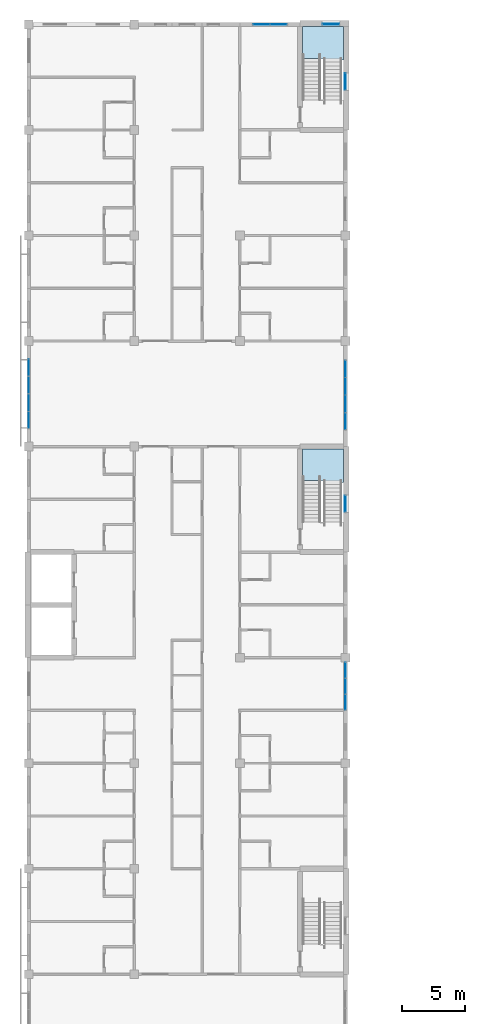
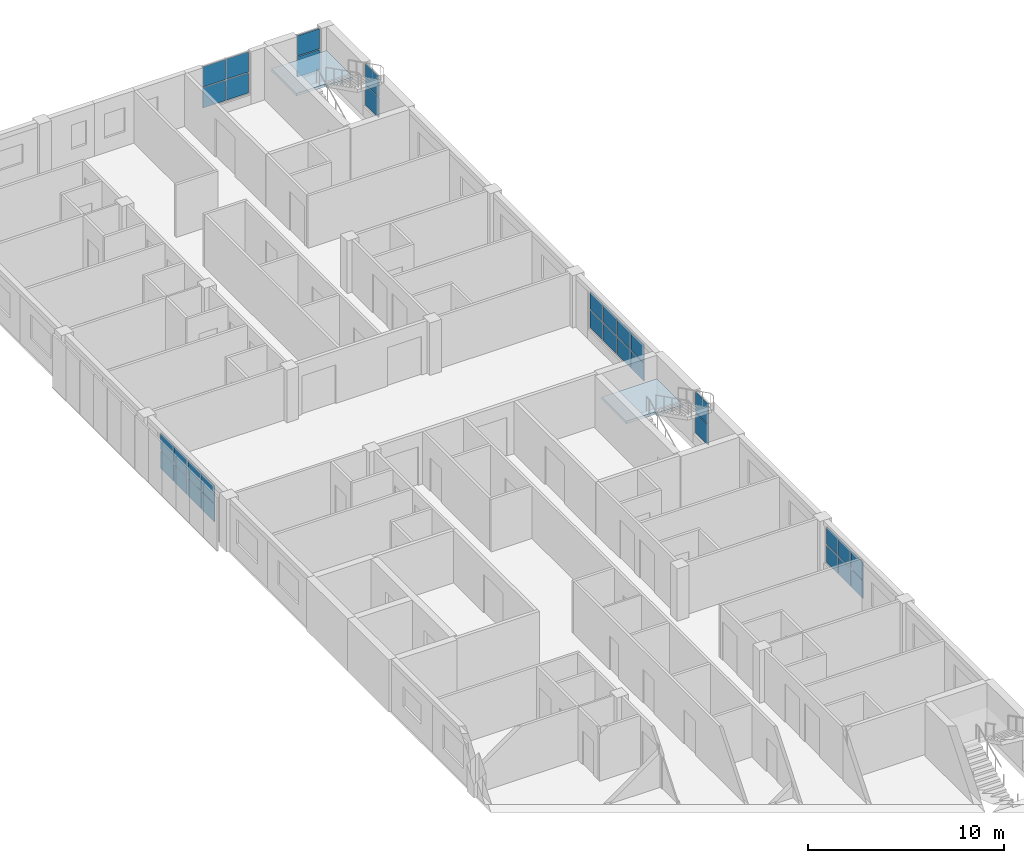
# One storey, part 21 of 45: 32 plates, 2 slabs, 9 elements without a shape of their own.
"""IFC4 building model written with IfcOpenShell, lengths in metres."""

from ifc_helpers import new_model, si_unit, direction, frame, origin, origin_2d, place, context, subcontext, project, spatial, polyline, rectangle, outline, extrude, material, layer, layer_set, type_object, element, aggregate, save


model = new_model("IFC4")

# Units and contexts
model_context = context("Model", 3, precision=1e-05, world=origin(), true_north=direction((0.0, 1.0)))
body_context = subcontext(model_context, "Body", "Model", "MODEL_VIEW")
ifc_project = project(units=[si_unit("LENGTHUNIT", "METRE"), si_unit("AREAUNIT", "SQUARE_METRE"), si_unit("VOLUMEUNIT", "CUBIC_METRE"), si_unit("PLANEANGLEUNIT", "RADIAN"), si_unit("MASSUNIT", "GRAM", prefix="KILO")], contexts=[model_context])

# Site, building, storey
site_placement = place(None, origin())
site = spatial("IfcSite", under=ifc_project, at=site_placement, CompositionType="ELEMENT")
building_placement = place(site_placement, origin())
building = spatial("IfcBuilding", under=site, at=building_placement, Name="Yavir Park General Hospital", CompositionType="ELEMENT")
storey_placement = place(building_placement, frame((0.0, 0.0, 22.5)))
storey = spatial("IfcBuildingStorey", under=building, at=storey_placement, Name="L05", CompositionType="ELEMENT", Elevation=22.5)

# Curtain wall, plates
ifc_material_1 = material(Name="Aluminium curtain wall frame with insulated glazing", Category="aluminium")
curtain_wall_type_1 = type_object("IfcCurtainWallType", Name="Day room pocket glazing, ward floors, 2360 high, 1400 module", PredefinedType="NOTDEFINED", material=ifc_material_1)
curtain_wall_1_placement = place(storey_placement, origin())
curtain_wall_1 = element("IfcCurtainWall", 1, at=curtain_wall_1_placement, inside=storey, type_object=curtain_wall_type_1, Name="CW6 L05-019", PredefinedType="NOTDEFINED")
ifc_material_2 = material(Name="Insulated glazed unit 30 mm, low-e coating")
ifc_layer_1 = layer(ifc_material_2, 0.030029296875)
ifc_layer_set_1 = layer_set([ifc_layer_1], Name="Insulated glazed unit 30 mm, low-e coating")
plate_type_1 = type_object("IfcPlateType", Name="Day room pocket glazing, ward floors, 2360 high panel 30", PredefinedType="CURTAIN_PANEL", material=ifc_layer_set_1)
plate_1_placement = place(storey_placement, frame((0.0, 86.114990234375, 0.66015625), z_axis=(0.0, 0.0, 1.0), x_axis=(0.0, 1.0, 0.0)))
plate_1 = element("IfcPlate", 2, at=plate_1_placement, type_object=plate_type_1, Name="CW6 panel 1.1", PredefinedType="CURTAIN_PANEL", context=body_context, shape_type="SweptSolid", body=[
    extrude(rectangle(XDim=1.31005859375, YDim=0.030029296875, at=origin_2d()), origin(), (0.0, 0.0, 1.0), 1.090087890625),
])
plate_2_placement = place(storey_placement, frame((0.0, 86.114990234375, 1.81005859375), z_axis=(0.0, 0.0, 1.0), x_axis=(0.0, 1.0, 0.0)))
plate_2 = element("IfcPlate", 3, at=plate_2_placement, type_object=plate_type_1, Name="CW6 panel 1.2", PredefinedType="CURTAIN_PANEL", context=body_context, shape_type="SweptSolid", body=[
    extrude(rectangle(XDim=1.31005859375, YDim=0.030029296875, at=origin_2d()), origin(), (0.0, 0.0, 1.0), 1.090087890625),
])
plate_3_placement = place(storey_placement, frame((0.0, 87.5, 0.66015625), z_axis=(0.0, 0.0, 1.0), x_axis=(0.0, 1.0, 0.0)))
plate_3 = element("IfcPlate", 4, at=plate_3_placement, type_object=plate_type_1, Name="CW6 panel 2.1", PredefinedType="CURTAIN_PANEL", context=body_context, shape_type="SweptSolid", body=[
    extrude(rectangle(XDim=1.340087890625, YDim=0.030029296875, at=origin_2d()), origin(), (0.0, 0.0, 1.0), 1.090087890625),
])
plate_4_placement = place(storey_placement, frame((0.0, 87.5, 1.81005859375), z_axis=(0.0, 0.0, 1.0), x_axis=(0.0, 1.0, 0.0)))
plate_4 = element("IfcPlate", 5, at=plate_4_placement, type_object=plate_type_1, Name="CW6 panel 2.2", PredefinedType="CURTAIN_PANEL", context=body_context, shape_type="SweptSolid", body=[
    extrude(rectangle(XDim=1.340087890625, YDim=0.030029296875, at=origin_2d()), origin(), (0.0, 0.0, 1.0), 1.090087890625),
])
plate_5_placement = place(storey_placement, frame((0.0, 88.89990234375, 0.66015625), z_axis=(0.0, 0.0, 1.0), x_axis=(0.0, 1.0, 0.0)))
plate_5 = element("IfcPlate", 6, at=plate_5_placement, type_object=plate_type_1, Name="CW6 panel 3.1", PredefinedType="CURTAIN_PANEL", context=body_context, shape_type="SweptSolid", body=[
    extrude(rectangle(XDim=1.340087890625, YDim=0.030029296875, at=origin_2d()), origin(), (0.0, 0.0, 1.0), 1.090087890625),
])
plate_6_placement = place(storey_placement, frame((0.0, 88.89990234375, 1.81005859375), z_axis=(0.0, 0.0, 1.0), x_axis=(0.0, 1.0, 0.0)))
plate_6 = element("IfcPlate", 7, at=plate_6_placement, type_object=plate_type_1, Name="CW6 panel 3.2", PredefinedType="CURTAIN_PANEL", context=body_context, shape_type="SweptSolid", body=[
    extrude(rectangle(XDim=1.340087890625, YDim=0.030029296875, at=origin_2d()), origin(), (0.0, 0.0, 1.0), 1.090087890625),
])
plate_7_placement = place(storey_placement, frame((0.0, 90.284912109375, 0.66015625), z_axis=(0.0, 0.0, 1.0), x_axis=(0.0, 1.0, 0.0)))
plate_7 = element("IfcPlate", 8, at=plate_7_placement, type_object=plate_type_1, Name="CW6 panel 4.1", PredefinedType="CURTAIN_PANEL", context=body_context, shape_type="SweptSolid", body=[
    extrude(rectangle(XDim=1.31005859375, YDim=0.030029296875, at=origin_2d()), origin(), (0.0, 0.0, 1.0), 1.090087890625),
])
plate_8_placement = place(storey_placement, frame((0.0, 90.284912109375, 1.81005859375), z_axis=(0.0, 0.0, 1.0), x_axis=(0.0, 1.0, 0.0)))
plate_8 = element("IfcPlate", 9, at=plate_8_placement, type_object=plate_type_1, Name="CW6 panel 4.2", PredefinedType="CURTAIN_PANEL", context=body_context, shape_type="SweptSolid", body=[
    extrude(rectangle(XDim=1.31005859375, YDim=0.030029296875, at=origin_2d()), origin(), (0.0, 0.0, 1.0), 1.090087890625),
])
aggregate(curtain_wall_1, [plate_1, plate_2, plate_3, plate_4, plate_5, plate_6, plate_7, plate_8])

curtain_wall_2_placement = place(storey_placement, origin())
curtain_wall_2 = element("IfcCurtainWall", 10, at=curtain_wall_2_placement, inside=storey, type_object=curtain_wall_type_1, Name="CW6 L05-022", PredefinedType="NOTDEFINED")
plate_9_placement = place(storey_placement, frame((25.199951171875, 63.65673828125, 0.66015625), z_axis=(0.0, 0.0, 1.0), x_axis=(0.0, 1.0, 0.0)))
plate_9 = element("IfcPlate", 11, at=plate_9_placement, type_object=plate_type_1, Name="CW6 panel 1.1", PredefinedType="CURTAIN_PANEL", context=body_context, shape_type="SweptSolid", body=[
    extrude(rectangle(XDim=1.193359375, YDim=0.030029296875, at=origin_2d()), origin(), (0.0, 0.0, 1.0), 1.090087890625),
])
plate_10_placement = place(storey_placement, frame((25.199951171875, 63.65673828125, 1.81005859375), z_axis=(0.0, 0.0, 1.0), x_axis=(0.0, 1.0, 0.0)))
plate_10 = element("IfcPlate", 12, at=plate_10_placement, type_object=plate_type_1, Name="CW6 panel 1.2", PredefinedType="CURTAIN_PANEL", context=body_context, shape_type="SweptSolid", body=[
    extrude(rectangle(XDim=1.193359375, YDim=0.030029296875, at=origin_2d()), origin(), (0.0, 0.0, 1.0), 1.090087890625),
])
plate_11_placement = place(storey_placement, frame((25.199951171875, 64.925048828125, 0.66015625), z_axis=(0.0, 0.0, 1.0), x_axis=(0.0, 1.0, 0.0)))
plate_11 = element("IfcPlate", 13, at=plate_11_placement, type_object=plate_type_1, Name="CW6 panel 2.1", PredefinedType="CURTAIN_PANEL", context=body_context, shape_type="SweptSolid", body=[
    extrude(rectangle(XDim=1.223388671875, YDim=0.030029296875, at=origin_2d()), origin(), (0.0, 0.0, 1.0), 1.090087890625),
])
plate_12_placement = place(storey_placement, frame((25.199951171875, 64.925048828125, 1.81005859375), z_axis=(0.0, 0.0, 1.0), x_axis=(0.0, 1.0, 0.0)))
plate_12 = element("IfcPlate", 14, at=plate_12_placement, type_object=plate_type_1, Name="CW6 panel 2.2", PredefinedType="CURTAIN_PANEL", context=body_context, shape_type="SweptSolid", body=[
    extrude(rectangle(XDim=1.223388671875, YDim=0.030029296875, at=origin_2d()), origin(), (0.0, 0.0, 1.0), 1.090087890625),
])
plate_13_placement = place(storey_placement, frame((25.199951171875, 66.193359375, 0.66015625), z_axis=(0.0, 0.0, 1.0), x_axis=(0.0, 1.0, 0.0)))
plate_13 = element("IfcPlate", 15, at=plate_13_placement, type_object=plate_type_1, Name="CW6 panel 3.1", PredefinedType="CURTAIN_PANEL", context=body_context, shape_type="SweptSolid", body=[
    extrude(rectangle(XDim=1.193359375, YDim=0.030029296875, at=origin_2d()), origin(), (0.0, 0.0, 1.0), 1.090087890625),
])
plate_14_placement = place(storey_placement, frame((25.199951171875, 66.193359375, 1.81005859375), z_axis=(0.0, 0.0, 1.0), x_axis=(0.0, 1.0, 0.0)))
plate_14 = element("IfcPlate", 16, at=plate_14_placement, type_object=plate_type_1, Name="CW6 panel 3.2", PredefinedType="CURTAIN_PANEL", context=body_context, shape_type="SweptSolid", body=[
    extrude(rectangle(XDim=1.193359375, YDim=0.030029296875, at=origin_2d()), origin(), (0.0, 0.0, 1.0), 1.090087890625),
])
aggregate(curtain_wall_2, [plate_9, plate_10, plate_11, plate_12, plate_13, plate_14])

curtain_wall_3_placement = place(storey_placement, origin())
curtain_wall_3 = element("IfcCurtainWall", 17, at=curtain_wall_3_placement, inside=storey, type_object=curtain_wall_type_1, Name="CW6 L05-024", PredefinedType="NOTDEFINED")
plate_15_placement = place(storey_placement, frame((25.199951171875, 86.014892578125, 0.66015625), z_axis=(0.0, 0.0, 1.0), x_axis=(0.0, 1.0, 0.0)))
plate_15 = element("IfcPlate", 18, at=plate_15_placement, type_object=plate_type_1, Name="CW6 panel 1.1", PredefinedType="CURTAIN_PANEL", context=body_context, shape_type="SweptSolid", body=[
    extrude(rectangle(XDim=1.31005859375, YDim=0.030029296875, at=origin_2d()), origin(), (0.0, 0.0, 1.0), 1.090087890625),
])
plate_16_placement = place(storey_placement, frame((25.199951171875, 86.014892578125, 1.81005859375), z_axis=(0.0, 0.0, 1.0), x_axis=(0.0, 1.0, 0.0)))
plate_16 = element("IfcPlate", 19, at=plate_16_placement, type_object=plate_type_1, Name="CW6 panel 1.2", PredefinedType="CURTAIN_PANEL", context=body_context, shape_type="SweptSolid", body=[
    extrude(rectangle(XDim=1.31005859375, YDim=0.030029296875, at=origin_2d()), origin(), (0.0, 0.0, 1.0), 1.090087890625),
])
plate_17_placement = place(storey_placement, frame((25.199951171875, 87.39990234375, 0.66015625), z_axis=(0.0, 0.0, 1.0), x_axis=(0.0, 1.0, 0.0)))
plate_17 = element("IfcPlate", 20, at=plate_17_placement, type_object=plate_type_1, Name="CW6 panel 2.1", PredefinedType="CURTAIN_PANEL", context=body_context, shape_type="SweptSolid", body=[
    extrude(rectangle(XDim=1.340087890625, YDim=0.030029296875, at=origin_2d()), origin(), (0.0, 0.0, 1.0), 1.090087890625),
])
plate_18_placement = place(storey_placement, frame((25.199951171875, 87.39990234375, 1.81005859375), z_axis=(0.0, 0.0, 1.0), x_axis=(0.0, 1.0, 0.0)))
plate_18 = element("IfcPlate", 21, at=plate_18_placement, type_object=plate_type_1, Name="CW6 panel 2.2", PredefinedType="CURTAIN_PANEL", context=body_context, shape_type="SweptSolid", body=[
    extrude(rectangle(XDim=1.340087890625, YDim=0.030029296875, at=origin_2d()), origin(), (0.0, 0.0, 1.0), 1.090087890625),
])
plate_19_placement = place(storey_placement, frame((25.199951171875, 88.800048828125, 0.66015625), z_axis=(0.0, 0.0, 1.0), x_axis=(0.0, 1.0, 0.0)))
plate_19 = element("IfcPlate", 22, at=plate_19_placement, type_object=plate_type_1, Name="CW6 panel 3.1", PredefinedType="CURTAIN_PANEL", context=body_context, shape_type="SweptSolid", body=[
    extrude(rectangle(XDim=1.340087890625, YDim=0.030029296875, at=origin_2d()), origin(), (0.0, 0.0, 1.0), 1.090087890625),
])
plate_20_placement = place(storey_placement, frame((25.199951171875, 88.800048828125, 1.81005859375), z_axis=(0.0, 0.0, 1.0), x_axis=(0.0, 1.0, 0.0)))
plate_20 = element("IfcPlate", 23, at=plate_20_placement, type_object=plate_type_1, Name="CW6 panel 3.2", PredefinedType="CURTAIN_PANEL", context=body_context, shape_type="SweptSolid", body=[
    extrude(rectangle(XDim=1.340087890625, YDim=0.030029296875, at=origin_2d()), origin(), (0.0, 0.0, 1.0), 1.090087890625),
])
plate_21_placement = place(storey_placement, frame((25.199951171875, 90.18505859375, 0.66015625), z_axis=(0.0, 0.0, 1.0), x_axis=(0.0, 1.0, 0.0)))
plate_21 = element("IfcPlate", 24, at=plate_21_placement, type_object=plate_type_1, Name="CW6 panel 4.1", PredefinedType="CURTAIN_PANEL", context=body_context, shape_type="SweptSolid", body=[
    extrude(rectangle(XDim=1.31005859375, YDim=0.030029296875, at=origin_2d()), origin(), (0.0, 0.0, 1.0), 1.090087890625),
])
plate_22_placement = place(storey_placement, frame((25.199951171875, 90.18505859375, 1.81005859375), z_axis=(0.0, 0.0, 1.0), x_axis=(0.0, 1.0, 0.0)))
plate_22 = element("IfcPlate", 25, at=plate_22_placement, type_object=plate_type_1, Name="CW6 panel 4.2", PredefinedType="CURTAIN_PANEL", context=body_context, shape_type="SweptSolid", body=[
    extrude(rectangle(XDim=1.31005859375, YDim=0.030029296875, at=origin_2d()), origin(), (0.0, 0.0, 1.0), 1.090087890625),
])
aggregate(curtain_wall_3, [plate_15, plate_16, plate_17, plate_18, plate_19, plate_20, plate_21, plate_22])

# Stair, slab
ifc_material_3 = material(Name="Concrete C30/37", Category="concrete")
stair_type = type_object("IfcStairType", Name="Patient escape stair, 24 risers of 150 mm, 1400 mm flights", PredefinedType="HALF_TURN_STAIR", material=ifc_material_3)
stair_1_placement = place(storey_placement, origin())
stair_1 = element("IfcStair", 26, at=stair_1_placement, inside=storey, type_object=stair_type, Name="Stair SW2, L05 to L06", PredefinedType="HALF_TURN_STAIR")
ifc_material_4 = material(Name="Concrete C30/37", Category="concrete")
ifc_layer_2 = layer(ifc_material_4, 0.159912109375)
ifc_layer_set_2 = layer_set([ifc_layer_2], Name="Concrete C30/37")
slab_type = type_object("IfcSlabType", Name="Patient escape stair half landing, reinforced concrete 160 mm", PredefinedType="LANDING", material=ifc_layer_set_2)
slab_1_placement = place(storey_placement, frame((0.0, 0.0, 1.639892578125)))
slab_1 = element("IfcSlab", 27, at=slab_1_placement, type_object=slab_type, Name="SW2 landing 1", PredefinedType="LANDING", context=body_context, shape_type="SweptSolid", body=[
    extrude(outline(polyline([(21.800048828125, 81.298583984375), (21.800048828125, 83.800048828125), (25.050048828125, 83.800048828125), (25.050048828125, 81.14990234375), (23.5, 81.14990234375), (23.5, 81.298583984375), (21.800048828125, 81.298583984375)])), origin(), (0.0, 0.0, 1.0), 0.16015625),
])
aggregate(stair_1, [slab_1])

stair_2_placement = place(storey_placement, origin())
stair_2 = element("IfcStair", 28, at=stair_2_placement, inside=storey, type_object=stair_type, Name="Stair SW3, L05 to L06", PredefinedType="HALF_TURN_STAIR")
slab_2_placement = place(storey_placement, frame((0.0, 0.0, 1.639892578125)))
slab_2 = element("IfcSlab", 29, at=slab_2_placement, type_object=slab_type, Name="SW3 landing 1", PredefinedType="LANDING", context=body_context, shape_type="SweptSolid", body=[
    extrude(outline(polyline([(21.800048828125, 114.8984375), (21.800048828125, 117.449951171875), (25.050048828125, 117.449951171875), (25.050048828125, 114.75), (23.5, 114.75), (23.5, 114.8984375), (21.800048828125, 114.8984375)])), origin(), (0.0, 0.0, 1.0), 0.16015625),
])
aggregate(stair_2, [slab_2])

# Curtain wall, plates
ifc_material_5 = material(Name="Aluminium curtain wall frame with insulated glazing", Category="aluminium")
curtain_wall_type_2 = type_object("IfcCurtainWallType", Name="Stair light slot, ward floors, 2660 high, 1400 module", PredefinedType="NOTDEFINED", material=ifc_material_5)
curtain_wall_4_placement = place(storey_placement, origin())
curtain_wall_4 = element("IfcCurtainWall", 30, at=curtain_wall_4_placement, inside=storey, type_object=curtain_wall_type_2, Name="CW10 L05-016", PredefinedType="NOTDEFINED")
ifc_material_6 = material(Name="Fire-resisting glazed unit 70 mm")
ifc_layer_3 = layer(ifc_material_6, 0.070068359375)
ifc_layer_set_3 = layer_set([ifc_layer_3], Name="Fire-resisting glazed unit 70 mm")
plate_type_2 = type_object("IfcPlateType", Name="Stair light slot, ward floors, 2660 high panel 70", PredefinedType="CURTAIN_PANEL", material=ifc_layer_set_3)
plate_23_placement = place(storey_placement, frame((24.050048828125, 117.60009765625, 0.650146484375), z_axis=(0.0, 0.0, 1.0), x_axis=(1.0, 0.0, 0.0)))
plate_23 = element("IfcPlate", 31, at=plate_23_placement, type_object=plate_type_2, Name="CW10 panel 1.1", PredefinedType="CURTAIN_PANEL", context=body_context, shape_type="SweptSolid", body=[
    extrude(rectangle(XDim=1.300048828125, YDim=0.070068359375, at=origin_2d()), origin(), (0.0, 0.0, 1.0), 1.2548828125),
])
plate_24_placement = place(storey_placement, frame((24.050048828125, 117.60009765625, 1.955078125), z_axis=(0.0, 0.0, 1.0), x_axis=(1.0, 0.0, 0.0)))
plate_24 = element("IfcPlate", 32, at=plate_24_placement, type_object=plate_type_2, Name="CW10 panel 1.2", PredefinedType="CURTAIN_PANEL", context=body_context, shape_type="SweptSolid", body=[
    extrude(rectangle(XDim=1.300048828125, YDim=0.070068359375, at=origin_2d()), origin(), (0.0, 0.0, 1.0), 1.2548828125),
])
aggregate(curtain_wall_4, [plate_23, plate_24])

curtain_wall_5_placement = place(storey_placement, origin())
curtain_wall_5 = element("IfcCurtainWall", 33, at=curtain_wall_5_placement, inside=storey, type_object=curtain_wall_type_2, Name="CW10 L05-023", PredefinedType="NOTDEFINED")
plate_25_placement = place(storey_placement, frame((25.199951171875, 79.449951171875, 0.650146484375), z_axis=(0.0, 0.0, 1.0), x_axis=(0.0, 1.0, 0.0)))
plate_25 = element("IfcPlate", 34, at=plate_25_placement, type_object=plate_type_2, Name="CW10 panel 1.1", PredefinedType="CURTAIN_PANEL", context=body_context, shape_type="SweptSolid", body=[
    extrude(rectangle(XDim=1.300048828125, YDim=0.070068359375, at=origin_2d()), origin(), (0.0, 0.0, 1.0), 1.2548828125),
])
plate_26_placement = place(storey_placement, frame((25.199951171875, 79.449951171875, 1.955078125), z_axis=(0.0, 0.0, 1.0), x_axis=(0.0, 1.0, 0.0)))
plate_26 = element("IfcPlate", 35, at=plate_26_placement, type_object=plate_type_2, Name="CW10 panel 1.2", PredefinedType="CURTAIN_PANEL", context=body_context, shape_type="SweptSolid", body=[
    extrude(rectangle(XDim=1.300048828125, YDim=0.070068359375, at=origin_2d()), origin(), (0.0, 0.0, 1.0), 1.2548828125),
])
aggregate(curtain_wall_5, [plate_25, plate_26])

curtain_wall_6_placement = place(storey_placement, origin())
curtain_wall_6 = element("IfcCurtainWall", 36, at=curtain_wall_6_placement, inside=storey, type_object=curtain_wall_type_2, Name="CW10 L05-025", PredefinedType="NOTDEFINED")
plate_27_placement = place(storey_placement, frame((25.199951171875, 113.050048828125, 0.650146484375), z_axis=(0.0, 0.0, 1.0), x_axis=(0.0, 1.0, 0.0)))
plate_27 = element("IfcPlate", 37, at=plate_27_placement, type_object=plate_type_2, Name="CW10 panel 1.1", PredefinedType="CURTAIN_PANEL", context=body_context, shape_type="SweptSolid", body=[
    extrude(rectangle(XDim=1.300048828125, YDim=0.070068359375, at=origin_2d()), origin(), (0.0, 0.0, 1.0), 1.2548828125),
])
plate_28_placement = place(storey_placement, frame((25.199951171875, 113.050048828125, 1.955078125), z_axis=(0.0, 0.0, 1.0), x_axis=(0.0, 1.0, 0.0)))
plate_28 = element("IfcPlate", 38, at=plate_28_placement, type_object=plate_type_2, Name="CW10 panel 1.2", PredefinedType="CURTAIN_PANEL", context=body_context, shape_type="SweptSolid", body=[
    extrude(rectangle(XDim=1.300048828125, YDim=0.070068359375, at=origin_2d()), origin(), (0.0, 0.0, 1.0), 1.2548828125),
])
aggregate(curtain_wall_6, [plate_27, plate_28])

ifc_material_7 = material(Name="Aluminium curtain wall frame with insulated glazing", Category="aluminium")
curtain_wall_type_3 = type_object("IfcCurtainWallType", Name="Ward corridor end glazing, 2660 high, 1400 module", PredefinedType="NOTDEFINED", material=ifc_material_7)
curtain_wall_7_placement = place(storey_placement, origin())
curtain_wall_7 = element("IfcCurtainWall", 39, at=curtain_wall_7_placement, inside=storey, type_object=curtain_wall_type_3, Name="CW15 L05-015", PredefinedType="NOTDEFINED")
ifc_material_8 = material(Name="Insulated glazed unit 30 mm, low-e coating")
ifc_layer_4 = layer(ifc_material_8, 0.030029296875)
ifc_layer_set_4 = layer_set([ifc_layer_4], Name="Insulated glazed unit 30 mm, low-e coating")
plate_type_3 = type_object("IfcPlateType", Name="Ward corridor end glazing, 2660 high panel 30", PredefinedType="CURTAIN_PANEL", material=ifc_layer_set_4)
plate_29_placement = place(storey_placement, frame((18.512451171875, 117.60009765625, 0.650146484375), z_axis=(0.0, 0.0, 1.0), x_axis=(1.0, 0.0, 0.0)))
plate_29 = element("IfcPlate", 40, at=plate_29_placement, type_object=plate_type_3, Name="CW15 panel 1.1", PredefinedType="CURTAIN_PANEL", context=body_context, shape_type="SweptSolid", body=[
    extrude(rectangle(XDim=1.324951171875, YDim=0.030029296875, at=origin_2d()), origin(), (0.0, 0.0, 1.0), 1.2548828125),
])
plate_30_placement = place(storey_placement, frame((18.512451171875, 117.60009765625, 1.955078125), z_axis=(0.0, 0.0, 1.0), x_axis=(1.0, 0.0, 0.0)))
plate_30 = element("IfcPlate", 41, at=plate_30_placement, type_object=plate_type_3, Name="CW15 panel 1.2", PredefinedType="CURTAIN_PANEL", context=body_context, shape_type="SweptSolid", body=[
    extrude(rectangle(XDim=1.324951171875, YDim=0.030029296875, at=origin_2d()), origin(), (0.0, 0.0, 1.0), 1.2548828125),
])
plate_31_placement = place(storey_placement, frame((19.887451171875, 117.60009765625, 0.650146484375), z_axis=(0.0, 0.0, 1.0), x_axis=(1.0, 0.0, 0.0)))
plate_31 = element("IfcPlate", 42, at=plate_31_placement, type_object=plate_type_3, Name="CW15 panel 2.1", PredefinedType="CURTAIN_PANEL", context=body_context, shape_type="SweptSolid", body=[
    extrude(rectangle(XDim=1.324951171875, YDim=0.030029296875, at=origin_2d()), origin(), (0.0, 0.0, 1.0), 1.2548828125),
])
plate_32_placement = place(storey_placement, frame((19.887451171875, 117.60009765625, 1.955078125), z_axis=(0.0, 0.0, 1.0), x_axis=(1.0, 0.0, 0.0)))
plate_32 = element("IfcPlate", 43, at=plate_32_placement, type_object=plate_type_3, Name="CW15 panel 2.2", PredefinedType="CURTAIN_PANEL", context=body_context, shape_type="SweptSolid", body=[
    extrude(rectangle(XDim=1.324951171875, YDim=0.030029296875, at=origin_2d()), origin(), (0.0, 0.0, 1.0), 1.2548828125),
])
aggregate(curtain_wall_7, [plate_29, plate_30, plate_31, plate_32])

save(model, "model.ifc")
